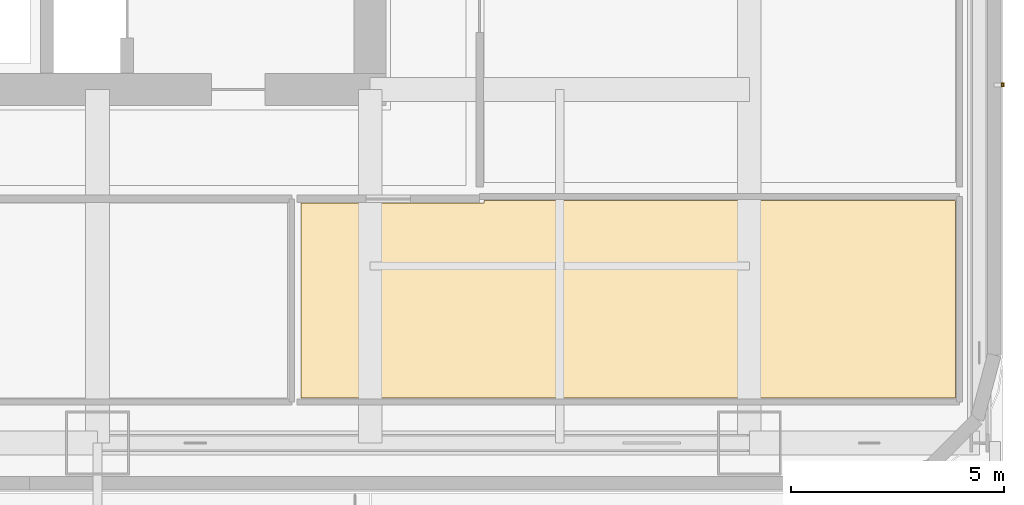
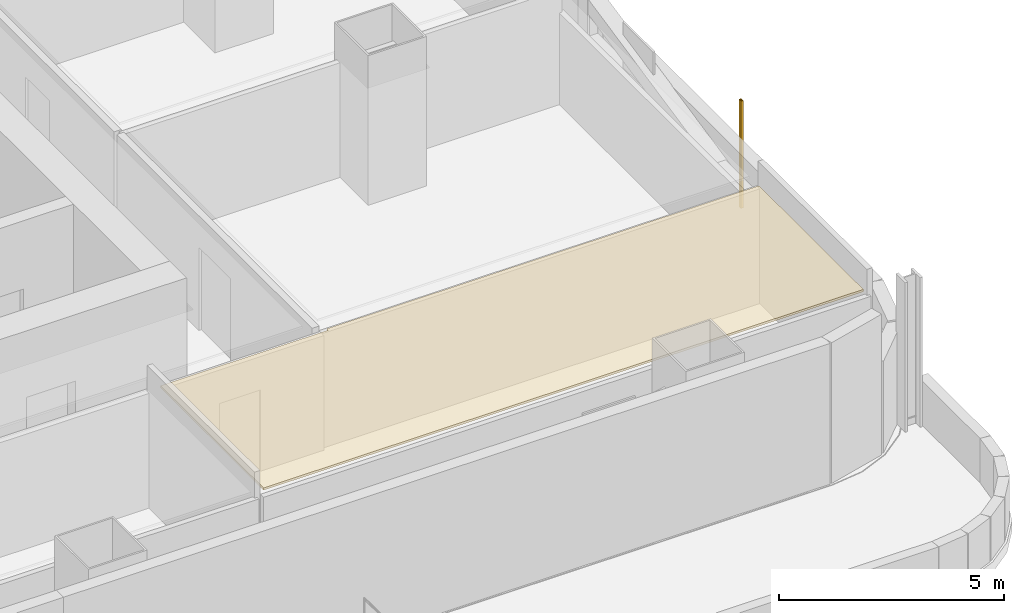
# One storey, part 22 of 28: 1 covering, 1 shading device.
"""IFC4 building model written with IfcOpenShell, lengths in metres."""

from ifc_helpers import new_model, si_unit, direction, frame, origin, origin_2d, place, context, subcontext, project, spatial, polyline, hollow_rectangle, outline, extrude, material, layer, layer_set, material_profile, profile_set, type_object, element, save


model = new_model("IFC4")

# Units and contexts
model_context = context("Model", 3, precision=1e-05, world=origin(), true_north=direction((0.0, 1.0)))
body_context = subcontext(model_context, "Body", "Model", "MODEL_VIEW")
ifc_project = project(units=[si_unit("LENGTHUNIT", "METRE"), si_unit("AREAUNIT", "SQUARE_METRE"), si_unit("VOLUMEUNIT", "CUBIC_METRE"), si_unit("PLANEANGLEUNIT", "RADIAN"), si_unit("MASSUNIT", "GRAM", prefix="KILO")], contexts=[model_context])

# Site, building, storey
site_placement = place(None, origin())
site = spatial("IfcSite", under=ifc_project, at=site_placement, CompositionType="ELEMENT")
building_placement = place(site_placement, origin())
building = spatial("IfcBuilding", under=site, at=building_placement, Name="Punatoya Terracotta Tower", CompositionType="ELEMENT")
storey_placement = place(building_placement, frame((0.0, 0.0, 93.0)))
storey = spatial("IfcBuildingStorey", under=building, at=storey_placement, Name="L21", CompositionType="ELEMENT", Elevation=93.0)

# Covering
ifc_material_1 = material(Name="Acoustic Mineral Fibre Ceiling")
ifc_layer = layer(ifc_material_1, 0.06005859375)
ifc_layer_set = layer_set([ifc_layer], Name="Acoustic Mineral Fibre Ceiling")
covering_type = type_object("IfcCoveringType", Name="COV-CEIL-60", PredefinedType="CEILING", material=ifc_layer_set)
covering_placement = place(storey_placement, frame((0.0, 0.0, 3.159912109375)))
element("IfcCovering", 1, at=covering_placement, inside=storey, type_object=covering_type, Name="L21 Graphic Design Workplace Acoustic Ceiling", PredefinedType="CEILING", context=body_context, shape_type="SweptSolid", body=[
    extrude(outline(polyline([(12.8701171875, -11.8701171875), (8.5791015625, -11.8701171875), (8.5791015625, -16.43994140625), (23.93994140625, -16.43994140625), (23.93994140625, -11.81005859375), (12.8701171875, -11.81005859375), (12.8701171875, -11.8701171875)])), origin(), (0.0, 0.0, 1.0), 0.06005859375),
])

# Shading device
ifc_material_2 = material(Name="Architectural Fired Terracotta", Category="masonry")
ifc_material_profile = material_profile(ifc_material_2, hollow_rectangle(XDim=0.06005859375, YDim=0.090087890625, WallThickness=0.013916015625, at=origin_2d()))
ifc_profile_set = profile_set([ifc_material_profile], Name="Architectural Fired Terracotta")
shading_device_type = type_object("IfcShadingDeviceType", Name="SHD-JALI-90", PredefinedType="JALOUSIE", material=ifc_profile_set)
shading_device_placement = place(storey_placement, frame((25.050048828125, -9.093505859375, 0.60009765625), z_axis=(0.0, 0.0, 1.0), x_axis=(1.0, 0.0, 0.0)))
element("IfcShadingDevice", 2, at=shading_device_placement, inside=storey, type_object=shading_device_type, Name="L21 Braced Bay Terracotta Jali Fin E1", PredefinedType="JALOUSIE", context=body_context, shape_type="SweptSolid", body=[
    extrude(hollow_rectangle(XDim=0.06005859375, YDim=0.090087890625, WallThickness=0.013916015625, at=origin_2d()), origin(), (0.0, 0.0, 1.0), 2.909912109375),
])

save(model, "model.ifc")
